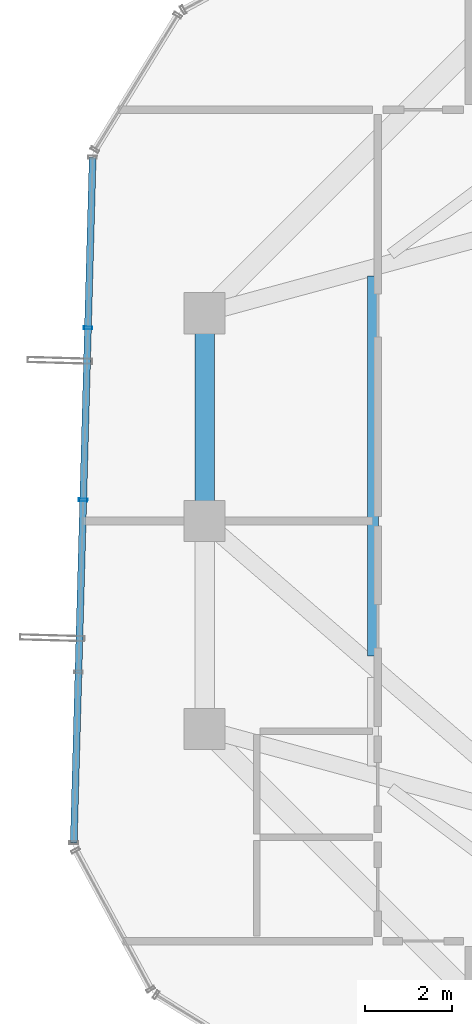
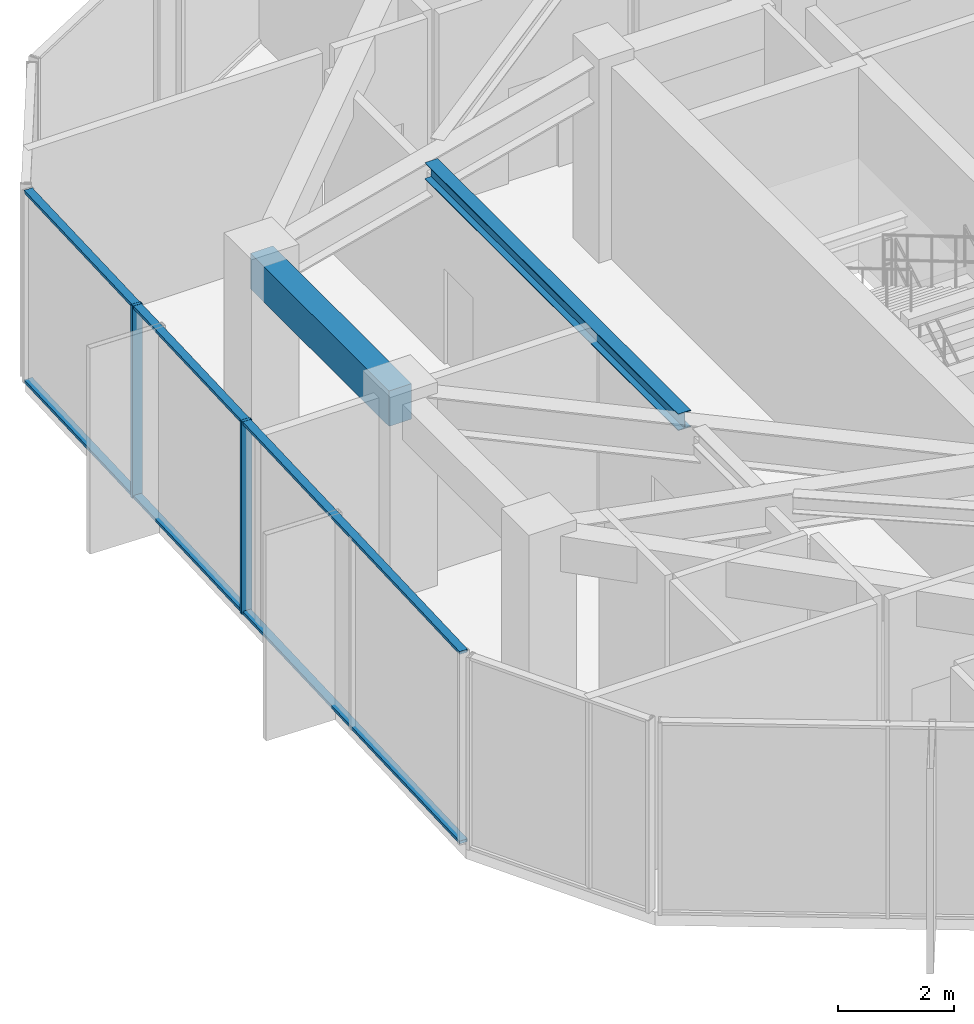
# One storey, part 8 of 22: 4 members, 2 beams, 1 element without a shape of its own.
"""IFC4 building model written with IfcOpenShell, lengths in metres."""

from ifc_helpers import new_model, si_unit, direction, frame, origin, origin_2d, place, context, subcontext, project, spatial, rectangle, hollow_rectangle, i_section, extrude, source, transform, mapped, material, layer, layer_set, material_profile, profile_set, type_object, element, aggregate, save


model = new_model("IFC4")

# Units and contexts
model_context = context("Model", 3, precision=1e-05, world=origin(), true_north=direction((0.0, 1.0)))
body_context = subcontext(model_context, "Body", "Model", "MODEL_VIEW")
ifc_project = project(units=[si_unit("LENGTHUNIT", "METRE"), si_unit("AREAUNIT", "SQUARE_METRE"), si_unit("VOLUMEUNIT", "CUBIC_METRE"), si_unit("PLANEANGLEUNIT", "RADIAN"), si_unit("MASSUNIT", "GRAM", prefix="KILO")], contexts=[model_context])

# Site, building, storey
site_placement = place(None, origin())
site = spatial("IfcSite", under=ifc_project, at=site_placement, CompositionType="ELEMENT")
building_placement = place(site_placement, origin())
building = spatial("IfcBuilding", under=site, at=building_placement, Name="Veraguas Prism Commons", CompositionType="ELEMENT")
storey_placement = place(building_placement, frame((0.0, 0.0, 211.35009765625)))
storey = spatial("IfcBuildingStorey", under=building, at=storey_placement, Name="L60", CompositionType="ELEMENT", Elevation=211.35009765625)

# Beams
ifc_material_1 = material(Name="Concrete C50/60", Category="concrete")
ifc_material_profile_1 = material_profile(ifc_material_1, rectangle(XDim=0.449951171875, YDim=0.75, at=origin_2d()), Name="RC450X750")
ifc_profile_set_1 = profile_set([ifc_material_profile_1], Name="Concrete C50/60")
beam_type_1 = type_object("IfcBeamType", Name="Perimeter Spandrel Upper RC 450x750", PredefinedType="SPANDREL", material=ifc_profile_set_1)
beam_1_placement = place(storey_placement, frame((9.10009765625, 28.800048828125, 3.68994140625), z_axis=(0.0, -1.0, 0.0), x_axis=(1.0, 0.0, 0.0)))
element("IfcBeam", 1, at=beam_1_placement, inside=storey, type_object=beam_type_1, Name="Perimeter Spandrel Beam L60-SP07", PredefinedType="SPANDREL", context=body_context, shape_type="SweptSolid", body=[
    extrude(rectangle(XDim=0.449951171875, YDim=0.75, at=origin_2d()), origin(), (0.0, 0.0, 1.0), 4.800048828125),
])
ifc_material_2 = material(Name="Steel ASTM A992 Grade 50", Category="steel")
ifc_material_profile_2 = material_profile(ifc_material_2, i_section(OverallWidth=0.25390625, OverallDepth=0.35302734375, WebThickness=0.009521484375, FlangeThickness=0.016357421875, at=origin_2d()), Name="W360X91")
ifc_profile_set_2 = profile_set([ifc_material_profile_2], Name="Steel ASTM A992 Grade 50")
beam_type_2 = type_object("IfcBeamType", Name="Upper Floor Joist W360x91", PredefinedType="JOIST", material=ifc_profile_set_2)
beam_2_placement = place(storey_placement, frame((12.988037109375, 29.66015625, 3.888427734375), z_axis=(0.0, -1.0, 0.0), x_axis=(1.0, 0.0, 0.0)))
element("IfcBeam", 2, at=beam_2_placement, inside=storey, type_object=beam_type_2, Name="Composite Floor Joist L60-JS07", PredefinedType="JOIST", context=body_context, shape_type="SweptSolid", body=[
    extrude(i_section(OverallWidth=0.25390625, OverallDepth=0.35302734375, WebThickness=0.009521484375, FlangeThickness=0.016357421875, at=origin_2d()), origin(), (0.0, 0.0, 1.0), 8.770263671875),
])

# Curtain wall, members
ifc_material_3 = material(Name="Anodised aluminium EN AW-6063 T6", Category="aluminium")
ifc_layer = layer(ifc_material_3, 0.199951171875, Name="Sky Lobby and Pool Acoustic Curtain Wall", Category="aluminium")
ifc_layer_set = layer_set([ifc_layer], Name="Anodised aluminium EN AW-6063 T6")
curtain_wall_type = type_object("IfcCurtainWallType", Name="Sky Lobby and Pool Acoustic Curtain Wall", PredefinedType="NOTDEFINED", material=ifc_layer_set)
curtain_wall_placement = place(storey_placement, origin())
curtain_wall = element("IfcCurtainWall", 3, at=curtain_wall_placement, inside=storey, type_object=curtain_wall_type, Name="Tower Facade Curtain Wall L60-F3", PredefinedType="NOTDEFINED")
ifc_material_profile_3 = material_profile(ifc_material_3, hollow_rectangle(XDim=0.06494140625, YDim=0.199951171875, WallThickness=0.00390625, at=origin_2d()), Name="AL65X200X4")
ifc_profile_set_3 = profile_set([ifc_material_profile_3], Name="Anodised aluminium EN AW-6063 T6")
member_type_1 = type_object("IfcMemberType", Name="Curtain Wall Mullion Heavy AL 65x200x4", PredefinedType="MULLION", material=ifc_profile_set_3)
shared_shape_1 = source(origin(), body_context, "Body", "SweptSolid", [
    extrude(hollow_rectangle(XDim=0.06494140625, YDim=0.199951171875, WallThickness=0.00390625, at=origin_2d()), origin(), (0.0, 0.0, 1.0), 4.06494140625),
])
member_1_placement = place(storey_placement, frame((6.406005859375, 28.46240234375, 0.0), z_axis=(0.0, 0.0, 1.0), x_axis=(-0.027567473277, -0.999619944988, 0.0)))
member_1 = element("IfcMember", 4, at=member_1_placement, type_object=member_type_1, Name="CW-SKY Mullion 2", PredefinedType="MULLION", context=body_context, shape_type="MappedRepresentation", body=[
    mapped(shared_shape_1, transform((0.0, 0.0, 0.0), scale=1.0)),
])
member_2_placement = place(storey_placement, frame((6.29638671875, 24.48828125, 0.0), z_axis=(0.0, 0.0, 1.0), x_axis=(-0.027567473277, -0.999619944988, 0.0)))
member_2 = element("IfcMember", 5, at=member_2_placement, type_object=member_type_1, Name="CW-SKY Mullion 3", PredefinedType="MULLION", context=body_context, shape_type="MappedRepresentation", body=[
    mapped(shared_shape_1, transform((0.0, 0.0, 0.0), scale=1.0)),
])
ifc_material_profile_4 = material_profile(ifc_material_3, hollow_rectangle(XDim=0.06005859375, YDim=0.159912109375, WallThickness=0.0029296875, at=origin_2d()), Name="AL60X160X3")
ifc_profile_set_4 = profile_set([ifc_material_profile_4], Name="Anodised aluminium EN AW-6063 T6")
member_type_2 = type_object("IfcMemberType", Name="Curtain Wall Transom Heavy AL 60x160x3", PredefinedType="USERDEFINED", material=ifc_profile_set_4)
shared_shape_2 = source(origin(), body_context, "Body", "SweptSolid", [
    extrude(hollow_rectangle(XDim=0.06005859375, YDim=0.159912109375, WallThickness=0.0029296875, at=origin_2d()), origin(), (0.0, 0.0, 1.0), 15.837646484375),
])
member_3_placement = place(storey_placement, frame((6.514892578125, 32.404052734375, 0.02978515625), z_axis=(-0.027577947209, -0.999619656083, 0.0), x_axis=(0.0, 0.0, 1.0)))
member_3 = element("IfcMember", 6, at=member_3_placement, type_object=member_type_2, Name="CW-SKY Transom 1", ObjectType="TRANSOM", PredefinedType="USERDEFINED", context=body_context, shape_type="MappedRepresentation", body=[
    mapped(shared_shape_2, transform((0.0, 0.0, 0.0), scale=1.0)),
])
member_4_placement = place(storey_placement, frame((6.514892578125, 32.404052734375, 4.034912109375), z_axis=(-0.027577947209, -0.999619656083, 0.0), x_axis=(0.0, 0.0, 1.0)))
member_4 = element("IfcMember", 7, at=member_4_placement, type_object=member_type_2, Name="CW-SKY Transom 2", ObjectType="TRANSOM", PredefinedType="USERDEFINED", context=body_context, shape_type="MappedRepresentation", body=[
    mapped(shared_shape_2, transform((0.0, 0.0, 0.0), scale=1.0)),
])
aggregate(curtain_wall, [member_1, member_2, member_3, member_4])

save(model, "model.ifc")
